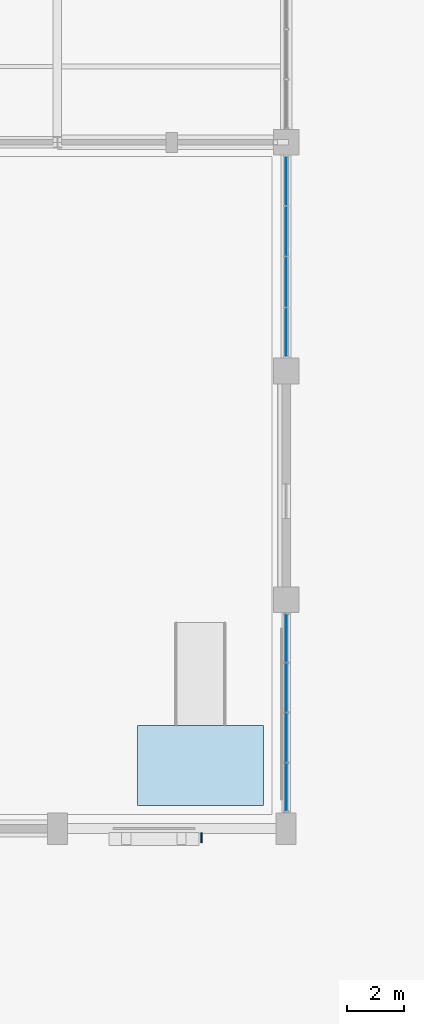
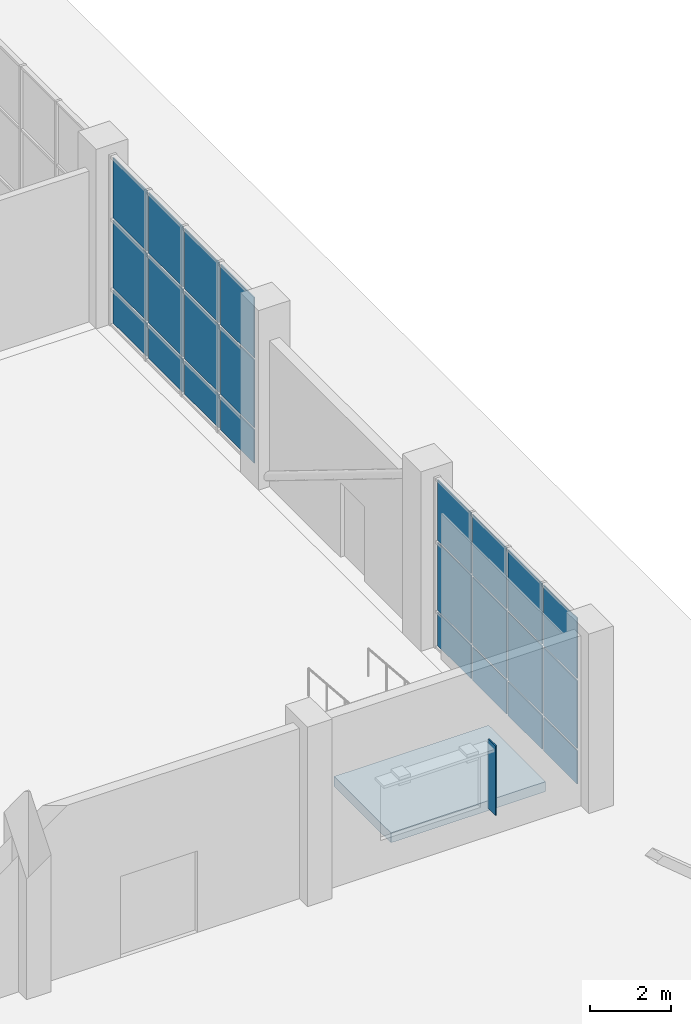
# One storey, part 90 of 123: 25 plates, 1 slab, 2 elements without a shape of their own.
"""IFC4 building model written with IfcOpenShell, lengths in metres."""

from ifc_helpers import new_model, si_unit, direction, frame, origin, origin_2d, place, context, subcontext, project, spatial, polyline, rectangle, outline, extrude, material, layer, layer_set, type_object, element, aggregate, save


model = new_model("IFC4")

# Units and contexts
model_context = context("Model", 3, precision=1e-05, world=origin(), true_north=direction((0.0, 1.0)))
body_context = subcontext(model_context, "Body", "Model", "MODEL_VIEW")
ifc_project = project(units=[si_unit("LENGTHUNIT", "METRE"), si_unit("AREAUNIT", "SQUARE_METRE"), si_unit("VOLUMEUNIT", "CUBIC_METRE"), si_unit("PLANEANGLEUNIT", "RADIAN"), si_unit("MASSUNIT", "GRAM", prefix="KILO")], contexts=[model_context])

# Site, building, storey
site_placement = place(None, origin())
site = spatial("IfcSite", under=ifc_project, at=site_placement, CompositionType="ELEMENT")
building_placement = place(site_placement, origin())
building = spatial("IfcBuilding", under=site, at=building_placement, Name="Tenunan Teduh Sports Hall", CompositionType="ELEMENT")
storey_placement = place(building_placement, origin())
storey = spatial("IfcBuildingStorey", under=building, at=storey_placement, Name="L00", CompositionType="ELEMENT", Elevation=0.0)

# Curtain wall, plates
ifc_material_1 = material(Name="Anodised aluminium", Category="aluminium")
curtain_wall_type = type_object("IfcCurtainWallType", Name="CW-UNIT-1", PredefinedType="NOTDEFINED", material=ifc_material_1)
curtain_wall_1_placement = place(storey_placement, origin())
curtain_wall_1 = element("IfcCurtainWall", 1, at=curtain_wall_1_placement, inside=storey, type_object=curtain_wall_type, Name="CW-CWM-175-L00-002", PredefinedType="NOTDEFINED")
ifc_material_2 = material(Name="Low-E laminated double glazing", Category="glass")
ifc_layer_1 = layer(ifc_material_2, 0.028076171875)
ifc_layer_set_1 = layer_set([ifc_layer_1], Name="Low-E laminated double glazing")
plate_type_1 = type_object("IfcPlateType", Name="CWP-GLZ-28", PredefinedType="CURTAIN_PANEL", material=ifc_layer_set_1)
plate_1_placement = place(storey_placement, frame((170.0, 15.441162109375, 1.13232421875), z_axis=(0.0, 0.0, 1.0), x_axis=(0.0, 1.0, 0.0)))
plate_1 = element("IfcPlate", 2, at=plate_1_placement, type_object=plate_type_1, Name="CW-01 panel 1.2", PredefinedType="CURTAIN_PANEL", context=body_context, shape_type="SweptSolid", body=[
    extrude(rectangle(XDim=1.652587890625, YDim=0.028076171875, at=origin_2d()), origin(), (0.0, 0.0, 1.0), 2.034912109375),
])
plate_2_placement = place(storey_placement, frame((170.0, 15.441162109375, 3.232421875), z_axis=(0.0, 0.0, 1.0), x_axis=(0.0, 1.0, 0.0)))
plate_2 = element("IfcPlate", 3, at=plate_2_placement, type_object=plate_type_1, Name="CW-01 panel 1.3", PredefinedType="CURTAIN_PANEL", context=body_context, shape_type="SweptSolid", body=[
    extrude(rectangle(XDim=1.652587890625, YDim=0.028076171875, at=origin_2d()), origin(), (0.0, 0.0, 1.0), 1.822509765625),
])
plate_3_placement = place(storey_placement, frame((170.0, 17.175048828125, 1.13232421875), z_axis=(0.0, 0.0, 1.0), x_axis=(0.0, 1.0, 0.0)))
plate_3 = element("IfcPlate", 4, at=plate_3_placement, type_object=plate_type_1, Name="CW-01 panel 2.2", PredefinedType="CURTAIN_PANEL", context=body_context, shape_type="SweptSolid", body=[
    extrude(rectangle(XDim=1.68505859375, YDim=0.028076171875, at=origin_2d()), origin(), (0.0, 0.0, 1.0), 2.034912109375),
])
plate_4_placement = place(storey_placement, frame((170.0, 17.175048828125, 3.232421875), z_axis=(0.0, 0.0, 1.0), x_axis=(0.0, 1.0, 0.0)))
plate_4 = element("IfcPlate", 5, at=plate_4_placement, type_object=plate_type_1, Name="CW-01 panel 2.3", PredefinedType="CURTAIN_PANEL", context=body_context, shape_type="SweptSolid", body=[
    extrude(rectangle(XDim=1.68505859375, YDim=0.028076171875, at=origin_2d()), origin(), (0.0, 0.0, 1.0), 1.822509765625),
])
plate_5_placement = place(storey_placement, frame((170.0, 18.925048828125, 1.13232421875), z_axis=(0.0, 0.0, 1.0), x_axis=(0.0, 1.0, 0.0)))
plate_5 = element("IfcPlate", 6, at=plate_5_placement, type_object=plate_type_1, Name="CW-01 panel 3.2", PredefinedType="CURTAIN_PANEL", context=body_context, shape_type="SweptSolid", body=[
    extrude(rectangle(XDim=1.68505859375, YDim=0.028076171875, at=origin_2d()), origin(), (0.0, 0.0, 1.0), 2.034912109375),
])
plate_6_placement = place(storey_placement, frame((170.0, 18.925048828125, 3.232421875), z_axis=(0.0, 0.0, 1.0), x_axis=(0.0, 1.0, 0.0)))
plate_6 = element("IfcPlate", 7, at=plate_6_placement, type_object=plate_type_1, Name="CW-01 panel 3.3", PredefinedType="CURTAIN_PANEL", context=body_context, shape_type="SweptSolid", body=[
    extrude(rectangle(XDim=1.68505859375, YDim=0.028076171875, at=origin_2d()), origin(), (0.0, 0.0, 1.0), 1.822509765625),
])
plate_7_placement = place(storey_placement, frame((170.0, 20.65869140625, 1.13232421875), z_axis=(0.0, 0.0, 1.0), x_axis=(0.0, 1.0, 0.0)))
plate_7 = element("IfcPlate", 8, at=plate_7_placement, type_object=plate_type_1, Name="CW-01 panel 4.2", PredefinedType="CURTAIN_PANEL", context=body_context, shape_type="SweptSolid", body=[
    extrude(rectangle(XDim=1.652587890625, YDim=0.028076171875, at=origin_2d()), origin(), (0.0, 0.0, 1.0), 2.034912109375),
])
plate_8_placement = place(storey_placement, frame((170.0, 20.65869140625, 3.232421875), z_axis=(0.0, 0.0, 1.0), x_axis=(0.0, 1.0, 0.0)))
plate_8 = element("IfcPlate", 9, at=plate_8_placement, type_object=plate_type_1, Name="CW-01 panel 4.3", PredefinedType="CURTAIN_PANEL", context=body_context, shape_type="SweptSolid", body=[
    extrude(rectangle(XDim=1.652587890625, YDim=0.028076171875, at=origin_2d()), origin(), (0.0, 0.0, 1.0), 1.822509765625),
])

curtain_wall_2_placement = place(storey_placement, origin())
curtain_wall_2 = element("IfcCurtainWall", 10, at=curtain_wall_2_placement, inside=storey, type_object=curtain_wall_type, Name="CW-CWM-200-L00-004", PredefinedType="NOTDEFINED")
plate_9_placement = place(storey_placement, frame((170.0, 31.35498046875, 1.134765625), z_axis=(0.0, 0.0, 1.0), x_axis=(0.0, 1.0, 0.0)))
plate_9 = element("IfcPlate", 11, at=plate_9_placement, type_object=plate_type_1, Name="CW-01 panel 1.2", PredefinedType="CURTAIN_PANEL", context=body_context, shape_type="SweptSolid", body=[
    extrude(rectangle(XDim=1.669921875, YDim=0.028076171875, at=origin_2d()), origin(), (0.0, 0.0, 1.0), 2.030029296875),
])
plate_10_placement = place(storey_placement, frame((170.0, 31.35498046875, 3.235107421875), z_axis=(0.0, 0.0, 1.0), x_axis=(0.0, 1.0, 0.0)))
plate_10 = element("IfcPlate", 12, at=plate_10_placement, type_object=plate_type_1, Name="CW-01 panel 1.3", PredefinedType="CURTAIN_PANEL", context=body_context, shape_type="SweptSolid", body=[
    extrude(rectangle(XDim=1.669921875, YDim=0.028076171875, at=origin_2d()), origin(), (0.0, 0.0, 1.0), 1.81494140625),
])
plate_11_placement = place(storey_placement, frame((170.0, 33.112548828125, 1.134765625), z_axis=(0.0, 0.0, 1.0), x_axis=(0.0, 1.0, 0.0)))
plate_11 = element("IfcPlate", 13, at=plate_11_placement, type_object=plate_type_1, Name="CW-01 panel 2.2", PredefinedType="CURTAIN_PANEL", context=body_context, shape_type="SweptSolid", body=[
    extrude(rectangle(XDim=1.705078125, YDim=0.028076171875, at=origin_2d()), origin(), (0.0, 0.0, 1.0), 2.030029296875),
])
plate_12_placement = place(storey_placement, frame((170.0, 33.112548828125, 3.235107421875), z_axis=(0.0, 0.0, 1.0), x_axis=(0.0, 1.0, 0.0)))
plate_12 = element("IfcPlate", 14, at=plate_12_placement, type_object=plate_type_1, Name="CW-01 panel 2.3", PredefinedType="CURTAIN_PANEL", context=body_context, shape_type="SweptSolid", body=[
    extrude(rectangle(XDim=1.705078125, YDim=0.028076171875, at=origin_2d()), origin(), (0.0, 0.0, 1.0), 1.81494140625),
])
plate_13_placement = place(storey_placement, frame((170.0, 34.887451171875, 1.134765625), z_axis=(0.0, 0.0, 1.0), x_axis=(0.0, 1.0, 0.0)))
plate_13 = element("IfcPlate", 15, at=plate_13_placement, type_object=plate_type_1, Name="CW-01 panel 3.2", PredefinedType="CURTAIN_PANEL", context=body_context, shape_type="SweptSolid", body=[
    extrude(rectangle(XDim=1.705078125, YDim=0.028076171875, at=origin_2d()), origin(), (0.0, 0.0, 1.0), 2.030029296875),
])
plate_14_placement = place(storey_placement, frame((170.0, 34.887451171875, 3.235107421875), z_axis=(0.0, 0.0, 1.0), x_axis=(0.0, 1.0, 0.0)))
plate_14 = element("IfcPlate", 16, at=plate_14_placement, type_object=plate_type_1, Name="CW-01 panel 3.3", PredefinedType="CURTAIN_PANEL", context=body_context, shape_type="SweptSolid", body=[
    extrude(rectangle(XDim=1.705078125, YDim=0.028076171875, at=origin_2d()), origin(), (0.0, 0.0, 1.0), 1.81494140625),
])
plate_15_placement = place(storey_placement, frame((170.0, 36.64501953125, 1.134765625), z_axis=(0.0, 0.0, 1.0), x_axis=(0.0, 1.0, 0.0)))
plate_15 = element("IfcPlate", 17, at=plate_15_placement, type_object=plate_type_1, Name="CW-01 panel 4.2", PredefinedType="CURTAIN_PANEL", context=body_context, shape_type="SweptSolid", body=[
    extrude(rectangle(XDim=1.669921875, YDim=0.028076171875, at=origin_2d()), origin(), (0.0, 0.0, 1.0), 2.030029296875),
])
plate_16_placement = place(storey_placement, frame((170.0, 36.64501953125, 3.235107421875), z_axis=(0.0, 0.0, 1.0), x_axis=(0.0, 1.0, 0.0)))
plate_16 = element("IfcPlate", 18, at=plate_16_placement, type_object=plate_type_1, Name="CW-01 panel 4.3", PredefinedType="CURTAIN_PANEL", context=body_context, shape_type="SweptSolid", body=[
    extrude(rectangle(XDim=1.669921875, YDim=0.028076171875, at=origin_2d()), origin(), (0.0, 0.0, 1.0), 1.81494140625),
])

# Plate
ifc_material_3 = material(Name="Insulated aluminium spandrel panel", Category="aluminium")
ifc_layer_2 = layer(ifc_material_3, 0.044921875)
ifc_layer_set_2 = layer_set([ifc_layer_2], Name="Insulated aluminium spandrel panel")
plate_type_2 = type_object("IfcPlateType", Name="CWP-SPN-45", PredefinedType="CURTAIN_PANEL", material=ifc_layer_set_2)
plate_17_placement = place(storey_placement, frame((170.0, 15.441162109375, 0.06494140625), z_axis=(0.0, 0.0, 1.0), x_axis=(0.0, 1.0, 0.0)))
plate_17 = element("IfcPlate", 19, at=plate_17_placement, type_object=plate_type_2, Name="CW-01 panel 1.1", PredefinedType="CURTAIN_PANEL", context=body_context, shape_type="SweptSolid", body=[
    extrude(rectangle(XDim=1.652587890625, YDim=0.028076171875, at=origin_2d()), origin(), (0.0, 0.0, 1.0), 1.00244140625),
])

plate_18_placement = place(storey_placement, frame((170.0, 17.175048828125, 0.06494140625), z_axis=(0.0, 0.0, 1.0), x_axis=(0.0, 1.0, 0.0)))
plate_18 = element("IfcPlate", 20, at=plate_18_placement, type_object=plate_type_2, Name="CW-01 panel 2.1", PredefinedType="CURTAIN_PANEL", context=body_context, shape_type="SweptSolid", body=[
    extrude(rectangle(XDim=1.68505859375, YDim=0.028076171875, at=origin_2d()), origin(), (0.0, 0.0, 1.0), 1.00244140625),
])

plate_19_placement = place(storey_placement, frame((170.0, 18.925048828125, 0.06494140625), z_axis=(0.0, 0.0, 1.0), x_axis=(0.0, 1.0, 0.0)))
plate_19 = element("IfcPlate", 21, at=plate_19_placement, type_object=plate_type_2, Name="CW-01 panel 3.1", PredefinedType="CURTAIN_PANEL", context=body_context, shape_type="SweptSolid", body=[
    extrude(rectangle(XDim=1.68505859375, YDim=0.028076171875, at=origin_2d()), origin(), (0.0, 0.0, 1.0), 1.00244140625),
])

plate_20_placement = place(storey_placement, frame((170.0, 20.65869140625, 0.06494140625), z_axis=(0.0, 0.0, 1.0), x_axis=(0.0, 1.0, 0.0)))
plate_20 = element("IfcPlate", 22, at=plate_20_placement, type_object=plate_type_2, Name="CW-01 panel 4.1", PredefinedType="CURTAIN_PANEL", context=body_context, shape_type="SweptSolid", body=[
    extrude(rectangle(XDim=1.652587890625, YDim=0.028076171875, at=origin_2d()), origin(), (0.0, 0.0, 1.0), 1.00244140625),
])

aggregate(curtain_wall_1, [plate_17, plate_1, plate_2, plate_18, plate_3, plate_4, plate_19, plate_5, plate_6, plate_20, plate_7, plate_8])

plate_21_placement = place(storey_placement, frame((170.0, 31.35498046875, 0.06982421875), z_axis=(0.0, 0.0, 1.0), x_axis=(0.0, 1.0, 0.0)))
plate_21 = element("IfcPlate", 23, at=plate_21_placement, type_object=plate_type_2, Name="CW-01 panel 1.1", PredefinedType="CURTAIN_PANEL", context=body_context, shape_type="SweptSolid", body=[
    extrude(rectangle(XDim=1.669921875, YDim=0.028076171875, at=origin_2d()), origin(), (0.0, 0.0, 1.0), 0.9951171875),
])

plate_22_placement = place(storey_placement, frame((170.0, 33.112548828125, 0.06982421875), z_axis=(0.0, 0.0, 1.0), x_axis=(0.0, 1.0, 0.0)))
plate_22 = element("IfcPlate", 24, at=plate_22_placement, type_object=plate_type_2, Name="CW-01 panel 2.1", PredefinedType="CURTAIN_PANEL", context=body_context, shape_type="SweptSolid", body=[
    extrude(rectangle(XDim=1.705078125, YDim=0.028076171875, at=origin_2d()), origin(), (0.0, 0.0, 1.0), 0.9951171875),
])

plate_23_placement = place(storey_placement, frame((170.0, 34.887451171875, 0.06982421875), z_axis=(0.0, 0.0, 1.0), x_axis=(0.0, 1.0, 0.0)))
plate_23 = element("IfcPlate", 25, at=plate_23_placement, type_object=plate_type_2, Name="CW-01 panel 3.1", PredefinedType="CURTAIN_PANEL", context=body_context, shape_type="SweptSolid", body=[
    extrude(rectangle(XDim=1.705078125, YDim=0.028076171875, at=origin_2d()), origin(), (0.0, 0.0, 1.0), 0.9951171875),
])

plate_24_placement = place(storey_placement, frame((170.0, 36.64501953125, 0.06982421875), z_axis=(0.0, 0.0, 1.0), x_axis=(0.0, 1.0, 0.0)))
plate_24 = element("IfcPlate", 26, at=plate_24_placement, type_object=plate_type_2, Name="CW-01 panel 4.1", PredefinedType="CURTAIN_PANEL", context=body_context, shape_type="SweptSolid", body=[
    extrude(rectangle(XDim=1.669921875, YDim=0.028076171875, at=origin_2d()), origin(), (0.0, 0.0, 1.0), 0.9951171875),
])

aggregate(curtain_wall_2, [plate_21, plate_9, plate_10, plate_22, plate_11, plate_12, plate_23, plate_13, plate_14, plate_24, plate_15, plate_16])

ifc_material_4 = material(Name="Anodised aluminium", Category="aluminium")
ifc_layer_3 = layer(ifc_material_4, 1.89990234375)
ifc_layer_set_3 = layer_set([ifc_layer_3], Name="Anodised aluminium")
plate_type_3 = type_object("IfcPlateType", Name="PLT-FIN-1", PredefinedType="SHEET", material=ifc_layer_set_3)
plate_25_placement = place(storey_placement, frame((167.0400390625, 13.679931640625, 0.830078125), z_axis=(0.0, 0.0, 1.0), x_axis=(1.0, 0.0, 0.0)))
element("IfcPlate", 27, at=plate_25_placement, inside=storey, type_object=plate_type_3, Name="PLT-FIN-L00-003", PredefinedType="SHEET", context=body_context, shape_type="SweptSolid", body=[
    extrude(rectangle(XDim=0.0400390625, YDim=0.360107421875, at=origin_2d()), origin(), (0.0, 0.0, 1.0), 2.090087890625),
])

# Slab
ifc_material_5 = material(Name="Concrete C40/50", Category="concrete")
ifc_layer_4 = layer(ifc_material_5, 0.199951171875)
ifc_layer_set_4 = layer_set([ifc_layer_4], Name="Concrete C40/50")
slab_type = type_object("IfcSlabType", Name="SLB-FLR-200", PredefinedType="FLOOR", material=ifc_layer_set_4)
slab_placement = place(storey_placement, origin())
element("IfcSlab", 28, at=slab_placement, inside=storey, type_object=slab_type, Name="SL-L00-WHC-4", PredefinedType="FLOOR", context=body_context, shape_type="SweptSolid", body=[
    extrude(outline(polyline([(164.800048828125, 14.800048828125), (169.199951171875, 14.800048828125), (169.199951171875, 17.60009765625), (164.800048828125, 17.60009765625), (164.800048828125, 14.800048828125)])), origin(), (0.0, 0.0, 1.0), 0.300048828125),
])

save(model, "model.ifc")
